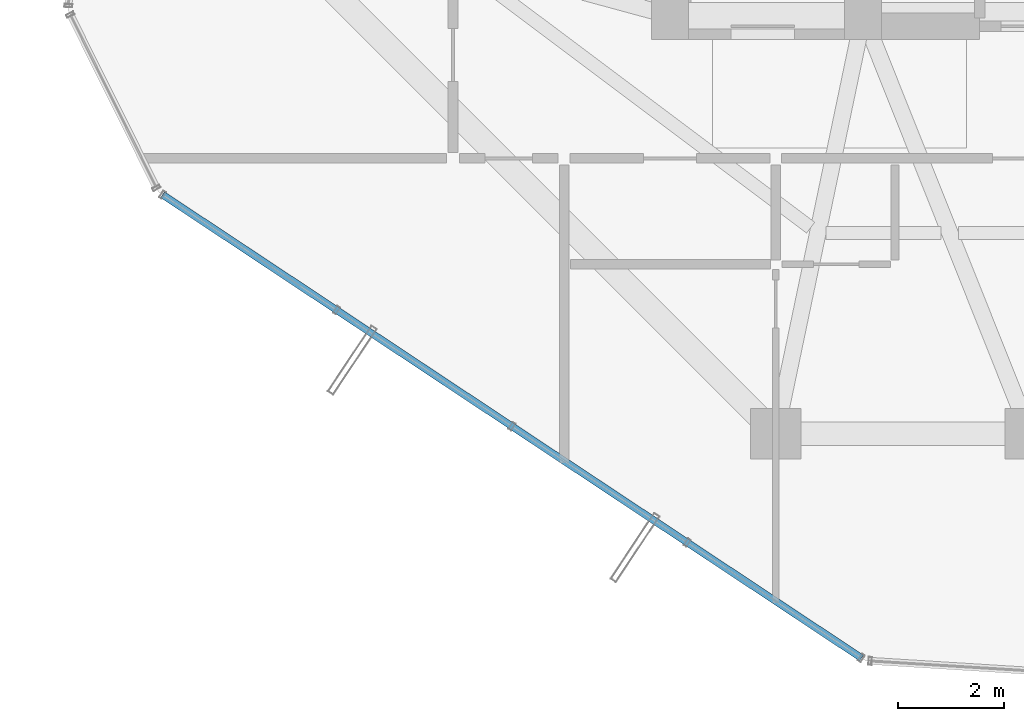
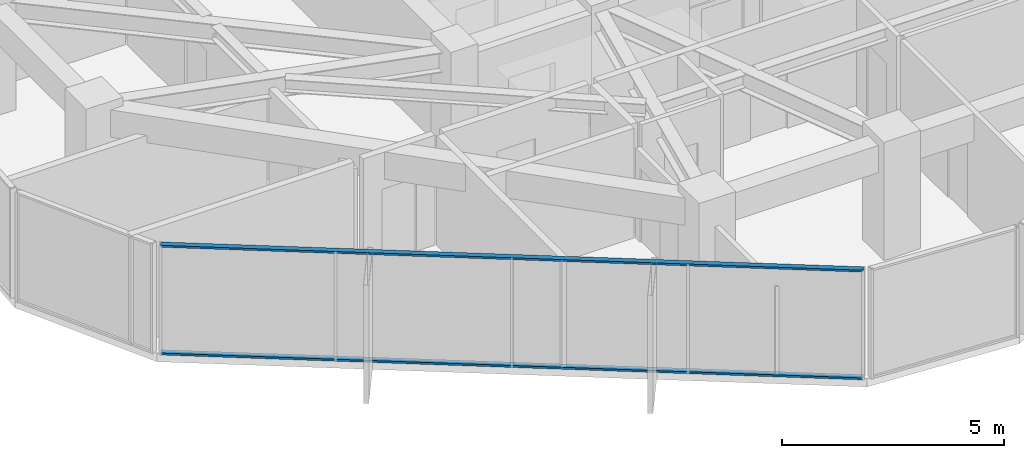
# One storey, part 3 of 29: 2 members, 1 element without a shape of its own.
"""IFC4 building model written with IfcOpenShell, lengths in metres."""

from ifc_helpers import new_model, si_unit, direction, frame, origin, origin_2d, place, context, subcontext, project, spatial, hollow_rectangle, extrude, source, transform, mapped, material, layer, layer_set, material_profile, profile_set, type_object, element, aggregate, save


model = new_model("IFC4")

# Units and contexts
model_context = context("Model", 3, precision=1e-05, world=origin(), true_north=direction((0.0, 1.0)))
body_context = subcontext(model_context, "Body", "Model", "MODEL_VIEW")
ifc_project = project(units=[si_unit("LENGTHUNIT", "METRE"), si_unit("AREAUNIT", "SQUARE_METRE"), si_unit("VOLUMEUNIT", "CUBIC_METRE"), si_unit("PLANEANGLEUNIT", "RADIAN"), si_unit("MASSUNIT", "GRAM", prefix="KILO")], contexts=[model_context])

# Site, building, storey
site_placement = place(None, origin())
site = spatial("IfcSite", under=ifc_project, at=site_placement, CompositionType="ELEMENT")
building_placement = place(site_placement, origin())
building = spatial("IfcBuilding", under=site, at=building_placement, Name="Veraguas Prism Commons", CompositionType="ELEMENT")
storey_placement = place(building_placement, frame((0.0, 0.0, 218.89990234375)))
storey = spatial("IfcBuildingStorey", under=building, at=storey_placement, Name="L62", CompositionType="ELEMENT", Elevation=218.89990234375)

# Curtain wall, members
ifc_material = material(Name="Anodised aluminium EN AW-6063 T6", Category="aluminium")
ifc_layer = layer(ifc_material, 0.14990234375, Name="Unitised Flush Curtain Wall Zone 3", Category="aluminium")
ifc_layer_set = layer_set([ifc_layer], Name="Anodised aluminium EN AW-6063 T6")
curtain_wall_type = type_object("IfcCurtainWallType", Name="Unitised Flush Curtain Wall Zone 3", PredefinedType="NOTDEFINED", material=ifc_layer_set)
curtain_wall_placement = place(storey_placement, origin())
curtain_wall = element("IfcCurtainWall", 1, at=curtain_wall_placement, inside=storey, type_object=curtain_wall_type, Name="Tower Facade Curtain Wall L62-F4", PredefinedType="NOTDEFINED")
ifc_material_profile = material_profile(ifc_material, hollow_rectangle(XDim=0.054931640625, YDim=0.135009765625, WallThickness=0.0029296875, at=origin_2d()), Name="AL55X135X3")
ifc_profile_set = profile_set([ifc_material_profile], Name="Anodised aluminium EN AW-6063 T6")
member_type = type_object("IfcMemberType", Name="Curtain Wall Transom Standard AL 55x135x3", PredefinedType="USERDEFINED", material=ifc_profile_set)
shared_shape = source(origin(), body_context, "Body", "SweptSolid", [
    extrude(hollow_rectangle(XDim=0.054931640625, YDim=0.135009765625, WallThickness=0.0029296875, at=origin_2d()), origin(), (0.0, 0.0, 1.0), 15.842529296875),
])
member_1_placement = place(storey_placement, frame((7.6123046875, 13.615234375, 0.027587890625), z_axis=(0.833505486353, -0.552511180176, 0.0), x_axis=(0.0, 0.0, 1.0)))
member_1 = element("IfcMember", 2, at=member_1_placement, type_object=member_type, Name="CW-Z3 Transom 1", ObjectType="TRANSOM", PredefinedType="USERDEFINED", context=body_context, shape_type="MappedRepresentation", body=[
    mapped(shared_shape, transform((0.0, 0.0, 0.0), scale=1.0)),
])
member_2_placement = place(storey_placement, frame((7.6123046875, 13.615234375, 2.987548828125), z_axis=(0.833505486353, -0.552511180176, 0.0), x_axis=(0.0, 0.0, 1.0)))
member_2 = element("IfcMember", 3, at=member_2_placement, type_object=member_type, Name="CW-Z3 Transom 2", ObjectType="TRANSOM", PredefinedType="USERDEFINED", context=body_context, shape_type="MappedRepresentation", body=[
    mapped(shared_shape, transform((0.0, 0.0, 0.0), scale=1.0)),
])
aggregate(curtain_wall, [member_1, member_2])

save(model, "model.ifc")
